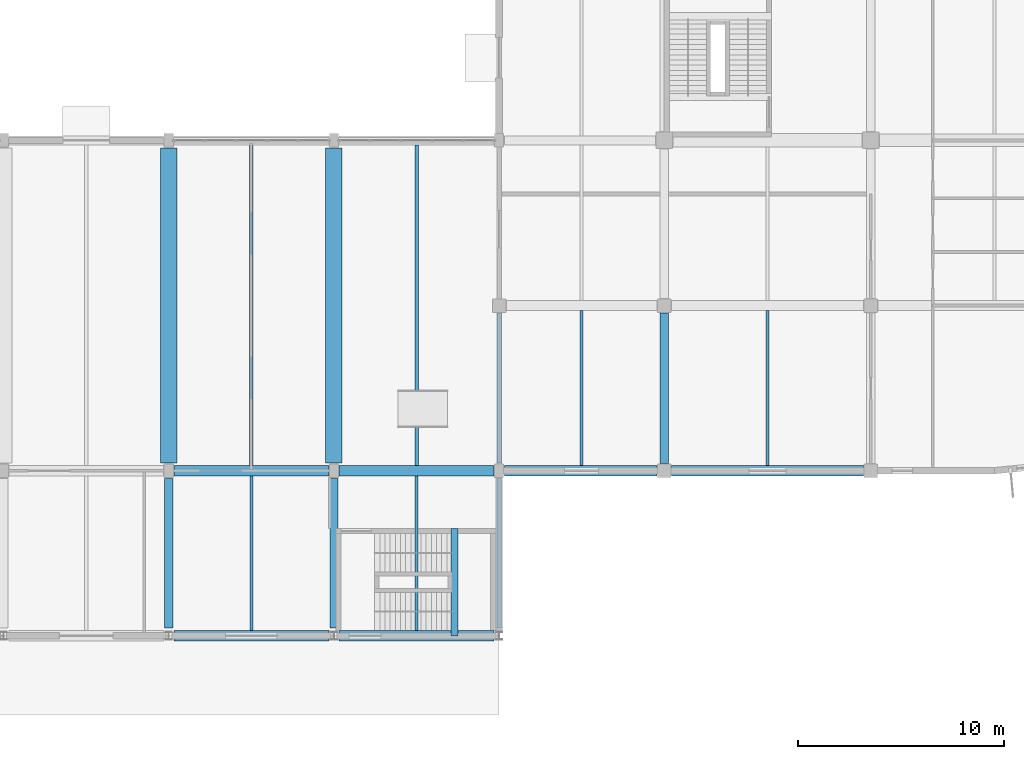
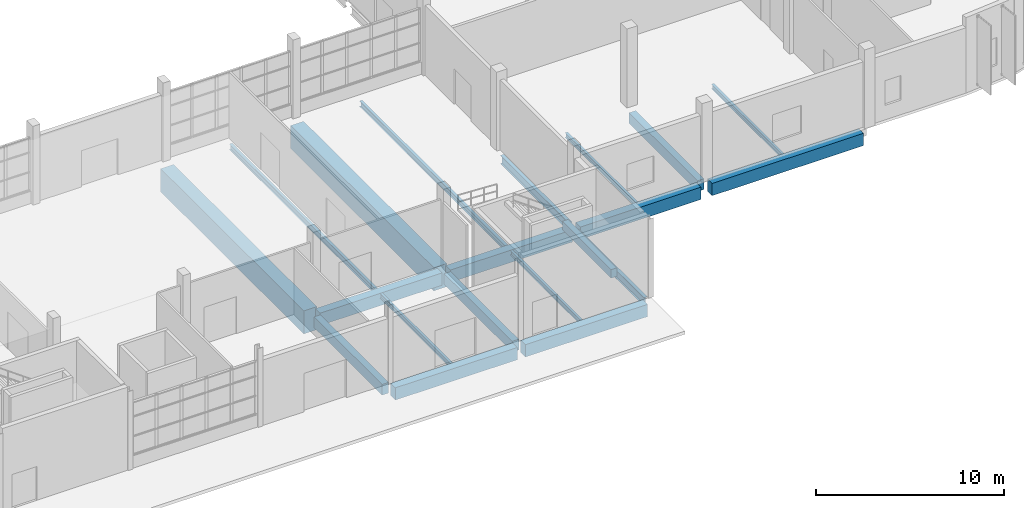
# One storey, part 40 of 103: 20 beams.
"""IFC4 building model written with IfcOpenShell, lengths in metres."""

from ifc_helpers import new_model, si_unit, direction, frame, origin, origin_2d, place, context, subcontext, project, spatial, rectangle, i_section, extrude, material, material_profile, profile_set, type_object, element, save


model = new_model("IFC4")

# Units and contexts
model_context = context("Model", 3, precision=1e-05, world=origin(), true_north=direction((0.0, 1.0)))
body_context = subcontext(model_context, "Body", "Model", "MODEL_VIEW")
ifc_project = project(units=[si_unit("LENGTHUNIT", "METRE"), si_unit("AREAUNIT", "SQUARE_METRE"), si_unit("VOLUMEUNIT", "CUBIC_METRE"), si_unit("PLANEANGLEUNIT", "RADIAN"), si_unit("MASSUNIT", "GRAM", prefix="KILO")], contexts=[model_context])

# Site, building, storey
site_placement = place(None, origin())
site = spatial("IfcSite", under=ifc_project, at=site_placement, CompositionType="ELEMENT")
building_placement = place(site_placement, origin())
building = spatial("IfcBuilding", under=site, at=building_placement, Name="Drelvana Railside Aquatics Centre", CompositionType="ELEMENT")
storey_placement = place(building_placement, origin())
storey = spatial("IfcBuildingStorey", under=building, at=storey_placement, Name="L00", CompositionType="ELEMENT", Elevation=0.0)

# Beams
ifc_material_1 = material(Name="Concrete C40/50", Category="concrete")
ifc_material_profile_1 = material_profile(ifc_material_1, rectangle(XDim=0.35009765625, YDim=0.550048828125, at=origin_2d()), Name="RC 350x550")
ifc_profile_set_1 = profile_set([ifc_material_profile_1], Name="Concrete C40/50")
beam_type_1 = type_object("IfcBeamType", Name="STR-BM-BM-01-RC-350x550", PredefinedType="BEAM", material=ifc_profile_set_1)
beam_1_placement = place(storey_placement, frame((141.840087890625, 0.0, 2.22509765625), z_axis=(0.0, 1.0, 0.0), x_axis=(-1.0, 0.0, 0.0)))
element("IfcBeam", 1, at=beam_1_placement, inside=storey, type_object=beam_type_1, Name="Stair ST-10 L00 mid-landing beam", PredefinedType="BEAM", context=body_context, shape_type="SweptSolid", body=[
    extrude(rectangle(XDim=0.35009765625, YDim=0.550048828125, at=origin_2d()), origin(), (0.0, 0.0, 1.0), 5.199951171875),
])
ifc_material_profile_2 = material_profile(ifc_material_1, rectangle(XDim=0.39990234375, YDim=0.699951171875, at=origin_2d()), Name="RC 400x700")
ifc_profile_set_2 = profile_set([ifc_material_profile_2], Name="Concrete C40/50")
beam_type_2 = type_object("IfcBeamType", Name="STR-BM-BM-03-RC-400x700", PredefinedType="BEAM", material=ifc_profile_set_2)
for number, where, z_axis, x_axis, name in (
    (2, (128.0, 0.375, -0.679931640625), (0.0, 1.0, 0.0), (-1.0, 0.0, 0.0), "Girder BM-03 (L00)"),
    (3, (136.0, 0.375, -0.679931640625), (0.0, 1.0, 0.0), (-1.0, 0.0, 0.0), "Girder BM-03 (L00)"),
):
    element("IfcBeam", number, at=place(storey_placement, frame(where, z_axis=z_axis, x_axis=x_axis)), inside=storey, type_object=beam_type_2, Name=name, PredefinedType="BEAM", context=body_context, shape_type="SweptSolid", body=[
        extrude(rectangle(XDim=0.39990234375, YDim=0.699951171875, at=origin_2d()), origin(), (0.0, 0.0, 1.0), 7.25),
    ])
beam_2_placement = place(storey_placement, frame((152.0, 8.35009765625, -0.679931640625), z_axis=(0.0, 1.0, 0.0), x_axis=(-1.0, 0.0, 0.0)))
element("IfcBeam", 4, at=beam_2_placement, inside=storey, type_object=beam_type_2, Name="Girder BM-03 (L00)", PredefinedType="BEAM", context=body_context, shape_type="SweptSolid", body=[
    extrude(rectangle(XDim=0.39990234375, YDim=0.699951171875, at=origin_2d()), origin(), (0.0, 0.0, 1.0), 7.2998046875),
])
ifc_material_profile_3 = material_profile(ifc_material_1, rectangle(XDim=0.5, YDim=0.800048828125, at=origin_2d()), Name="RC 500x800")
ifc_profile_set_3 = profile_set([ifc_material_profile_3], Name="Concrete C40/50")
beam_type_3 = type_object("IfcBeamType", Name="STR-BM-BM-06-RC-500x800", PredefinedType="SPANDREL", material=ifc_profile_set_3)
for number, where, z_axis, x_axis, name in (
    (5, (128.25, 0.0, -0.72998046875), (1.0, 0.0, 0.0), (0.0, 1.0, 0.0), "Girder BM-06 (L00)"),
    (6, (136.25, 0.0, -0.72998046875), (1.0, 0.0, 0.0), (0.0, 1.0, 0.0), "Girder BM-06 (L00)"),
    (7, (128.25, 8.0, -0.72998046875), (1.0, 0.0, 0.0), (0.0, 1.0, 0.0), "Girder BM-06 (L00)"),
    (8, (136.25, 8.0, -0.72998046875), (1.0, 0.0, 0.0), (0.0, 1.0, 0.0), "Girder BM-06 (L00)"),
):
    element("IfcBeam", number, at=place(storey_placement, frame(where, z_axis=z_axis, x_axis=x_axis)), inside=storey, type_object=beam_type_3, Name=name, PredefinedType="SPANDREL", context=body_context, shape_type="SweptSolid", body=[
        extrude(rectangle(XDim=0.5, YDim=0.800048828125, at=origin_2d()), origin(), (0.0, 0.0, 1.0), 7.5),
    ])
beam_3_placement = place(storey_placement, frame((144.25, 8.0, -0.72998046875), z_axis=(1.0, 0.0, 0.0), x_axis=(0.0, 1.0, 0.0)))
element("IfcBeam", 9, at=beam_3_placement, inside=storey, type_object=beam_type_3, Name="Girder BM-06 (L00)", PredefinedType="SPANDREL", context=body_context, shape_type="SweptSolid", body=[
    extrude(rectangle(XDim=0.5, YDim=0.800048828125, at=origin_2d()), origin(), (0.0, 0.0, 1.0), 7.39990234375),
])
beam_4_placement = place(storey_placement, frame((152.35009765625, 8.0, -0.72998046875), z_axis=(1.0, 0.0, 0.0), x_axis=(0.0, 1.0, 0.0)))
element("IfcBeam", 10, at=beam_4_placement, inside=storey, type_object=beam_type_3, Name="Girder BM-06 (L00)", PredefinedType="SPANDREL", context=body_context, shape_type="SweptSolid", body=[
    extrude(rectangle(XDim=0.5, YDim=0.800048828125, at=origin_2d()), origin(), (0.0, 0.0, 1.0), 9.2998046875),
])
ifc_material_profile_4 = material_profile(ifc_material_1, rectangle(XDim=0.800048828125, YDim=1.5, at=origin_2d()), Name="RC 800x1500")
ifc_profile_set_4 = profile_set([ifc_material_profile_4], Name="Concrete C40/50")
beam_type_4 = type_object("IfcBeamType", Name="STR-BM-TG-03-RC-800x1500", PredefinedType="BEAM", material=ifc_profile_set_4)
for number, where, z_axis, x_axis, name in (
    (11, (128.0, 8.375, -1.080078125), (0.0, 1.0, 0.0), (-1.0, 0.0, 0.0), "Girder TG-03 (L00)"),
    (12, (136.0, 8.375, -1.080078125), (0.0, 1.0, 0.0), (-1.0, 0.0, 0.0), "Girder TG-03 (L00)"),
):
    element("IfcBeam", number, at=place(storey_placement, frame(where, z_axis=z_axis, x_axis=x_axis)), inside=storey, type_object=beam_type_4, Name=name, PredefinedType="BEAM", context=body_context, shape_type="SweptSolid", body=[
        extrude(rectangle(XDim=0.800048828125, YDim=1.5, at=origin_2d()), origin(), (0.0, 0.0, 1.0), 15.25),
    ])
ifc_material_2 = material(Name="Structural steel S355", Category="steel")
ifc_material_profile_5 = material_profile(ifc_material_2, i_section(OverallWidth=0.2099609375, OverallDepth=0.550048828125, WebThickness=0.010986328125, FlangeThickness=0.01708984375, at=origin_2d()), Name="IPE 550")
ifc_profile_set_5 = profile_set([ifc_material_profile_5], Name="Structural steel S355")
beam_type_5 = type_object("IfcBeamType", Name="STR-SBM-SB-04-IPE-550", PredefinedType="SPANDREL", material=ifc_profile_set_5)
beam_5_placement = place(storey_placement, frame((144.0, 0.375, -0.60498046875), z_axis=(0.0, 1.0, 0.0), x_axis=(-1.0, 0.0, 0.0)))
element("IfcBeam", 13, at=beam_5_placement, inside=storey, type_object=beam_type_5, Name="Girder SB-04 (L00)", PredefinedType="SPANDREL", context=body_context, shape_type="SweptSolid", body=[
    extrude(i_section(OverallWidth=0.2099609375, OverallDepth=0.550048828125, WebThickness=0.010986328125, FlangeThickness=0.01708984375, at=origin_2d()), origin(), (0.0, 0.0, 1.0), 7.25),
])
beam_6_placement = place(storey_placement, frame((144.0, 8.375, -0.60498046875), z_axis=(0.0, 1.0, 0.0), x_axis=(-1.0, 0.0, 0.0)))
element("IfcBeam", 14, at=beam_6_placement, inside=storey, type_object=beam_type_5, Name="Girder SB-04 (L00)", PredefinedType="SPANDREL", context=body_context, shape_type="SweptSolid", body=[
    extrude(i_section(OverallWidth=0.2099609375, OverallDepth=0.550048828125, WebThickness=0.010986328125, FlangeThickness=0.01708984375, at=origin_2d()), origin(), (0.0, 0.0, 1.0), 7.27490234375),
])
ifc_material_profile_6 = material_profile(ifc_material_2, i_section(OverallWidth=0.14990234375, OverallDepth=0.300048828125, WebThickness=0.007080078125, FlangeThickness=0.0107421875, at=origin_2d()), Name="IPE 300")
ifc_profile_set_6 = profile_set([ifc_material_profile_6], Name="Structural steel S355")
beam_type_6 = type_object("IfcBeamType", Name="STR-SBM-SJ-03-IPE-300", PredefinedType="JOIST", material=ifc_profile_set_6)
for number, where, z_axis, x_axis, name in (
    (15, (132.0, 0.25, -0.47998046875), (0.0, 1.0, 0.0), (-1.0, 0.0, 0.0), "Secondary floor joist SJ-03 (L00)"),
    (16, (140.0, 0.25, -0.47998046875), (0.0, 1.0, 0.0), (-1.0, 0.0, 0.0), "Secondary floor joist SJ-03 (L00)"),
    (17, (148.0, 8.25, -0.47998046875), (0.0, 1.0, 0.0), (-1.0, 0.0, 0.0), "Secondary floor joist SJ-03 (L00)"),
    (18, (157.0, 8.25, -0.47998046875), (0.0, 1.0, 0.0), (-1.0, 0.0, 0.0), "Secondary floor joist SJ-03 (L00)"),
):
    element("IfcBeam", number, at=place(storey_placement, frame(where, z_axis=z_axis, x_axis=x_axis)), inside=storey, type_object=beam_type_6, Name=name, PredefinedType="JOIST", context=body_context, shape_type="SweptSolid", body=[
        extrude(i_section(OverallWidth=0.14990234375, OverallDepth=0.300048828125, WebThickness=0.007080078125, FlangeThickness=0.0107421875, at=origin_2d()), origin(), (0.0, 0.0, 1.0), 7.5),
    ])
ifc_material_profile_7 = material_profile(ifc_material_2, i_section(OverallWidth=0.169921875, OverallDepth=0.360107421875, WebThickness=0.008056640625, FlangeThickness=0.0126953125, at=origin_2d()), Name="IPE 360")
ifc_profile_set_7 = profile_set([ifc_material_profile_7], Name="Structural steel S355")
beam_type_7 = type_object("IfcBeamType", Name="STR-SBM-SJ-05-IPE-360", PredefinedType="JOIST", material=ifc_profile_set_7)
for number, where, z_axis, x_axis, name in (
    (19, (132.0, 8.25, -0.510009765625), (0.0, 1.0, 0.0), (-1.0, 0.0, 0.0), "Secondary floor joist SJ-05 (L00)"),
    (20, (140.0, 8.25, -0.510009765625), (0.0, 1.0, 0.0), (-1.0, 0.0, 0.0), "Secondary floor joist SJ-05 (L00)"),
):
    element("IfcBeam", number, at=place(storey_placement, frame(where, z_axis=z_axis, x_axis=x_axis)), inside=storey, type_object=beam_type_7, Name=name, PredefinedType="JOIST", context=body_context, shape_type="SweptSolid", body=[
        extrude(i_section(OverallWidth=0.169921875, OverallDepth=0.360107421875, WebThickness=0.008056640625, FlangeThickness=0.0126953125, at=origin_2d()), origin(), (0.0, 0.0, 1.0), 15.52490234375),
    ])

save(model, "model.ifc")
